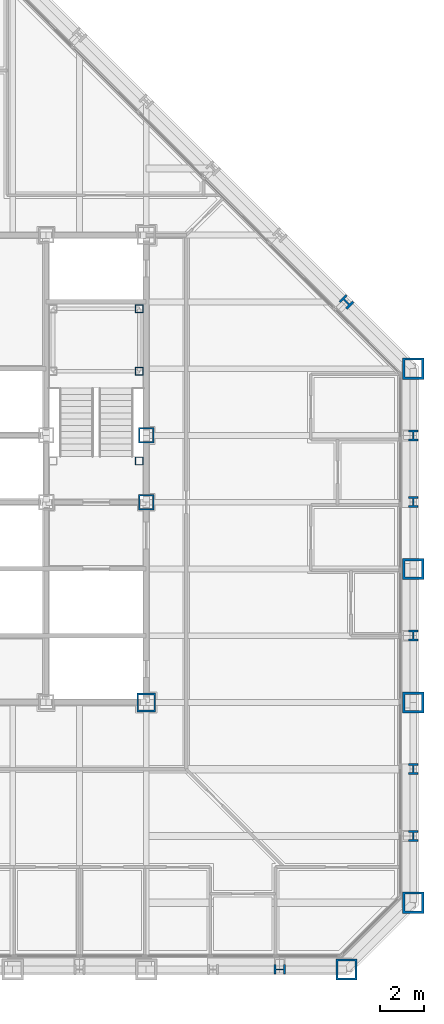
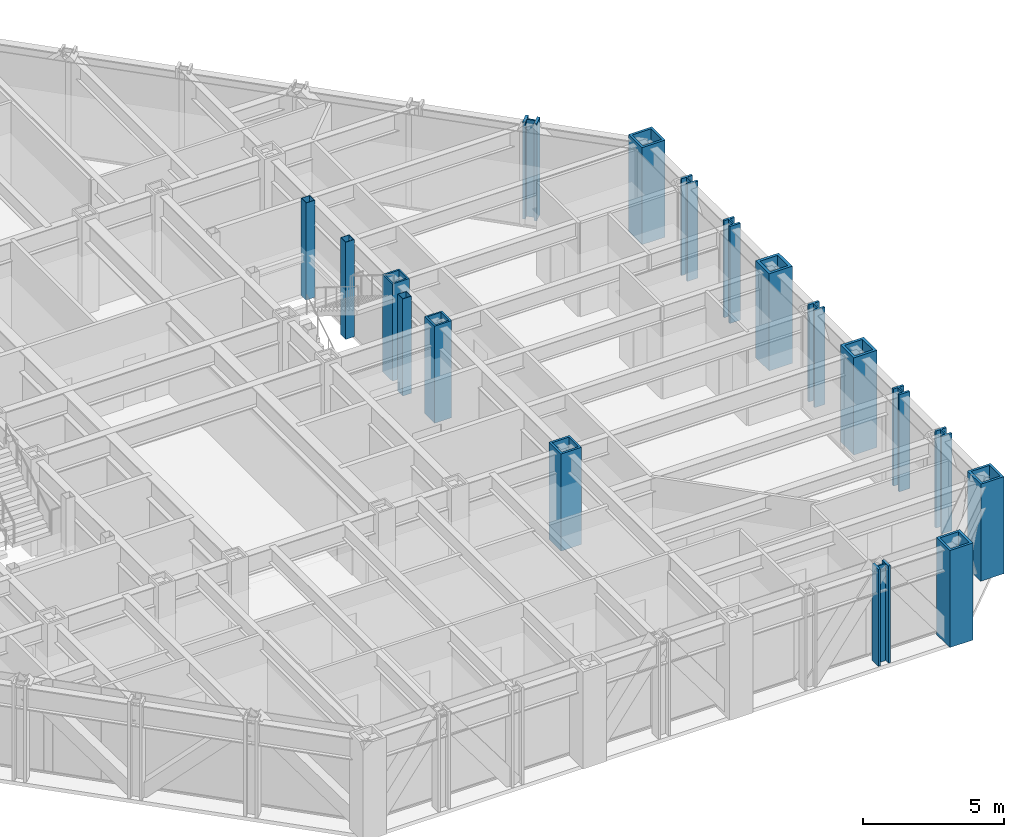
# One storey, part 2 of 17: 18 columns.
"""IFC4 building model written with IfcOpenShell, lengths in metres."""

from ifc_helpers import new_model, si_unit, direction, frame, origin, origin_2d, place, context, subcontext, project, spatial, hollow_rectangle, i_section, extrude, material, material_profile, profile_set, type_object, element, save


model = new_model("IFC4")

# Units and contexts
model_context = context("Model", 3, precision=1e-05, world=origin(), true_north=direction((0.0, 1.0)))
body_context = subcontext(model_context, "Body", "Model", "MODEL_VIEW")
ifc_project = project(units=[si_unit("LENGTHUNIT", "METRE"), si_unit("AREAUNIT", "SQUARE_METRE"), si_unit("VOLUMEUNIT", "CUBIC_METRE"), si_unit("PLANEANGLEUNIT", "RADIAN"), si_unit("MASSUNIT", "GRAM", prefix="KILO")], contexts=[model_context])

# Site, building, storey
site_placement = place(None, origin())
site = spatial("IfcSite", under=ifc_project, at=site_placement, CompositionType="ELEMENT")
building_placement = place(site_placement, origin())
building = spatial("IfcBuilding", under=site, at=building_placement, Name="Chuquiago Exchange Tower", CompositionType="ELEMENT")
storey_placement = place(building_placement, frame((0.0, 0.0, 136.199951171875)))
storey = spatial("IfcBuildingStorey", under=building, at=storey_placement, Name="L29", CompositionType="ELEMENT", Elevation=136.199951171875)

# Columns
ifc_material_1 = material(Name="Steel ASTM A992", Category="steel")
ifc_material_profile_1 = material_profile(ifc_material_1, i_section(OverallWidth=0.431884765625, OverallDepth=0.497802734375, WebThickness=0.0556640625, FlangeThickness=0.0888671875, at=origin_2d()), Name="W14X500")
ifc_profile_set_1 = profile_set([ifc_material_profile_1], Name="Steel ASTM A992")
column_type_1 = type_object("IfcColumnType", Name="C3 W14X500", PredefinedType="COLUMN", material=ifc_profile_set_1)
for number, where, z_axis, x_axis, name in (
    (1, (39.0, 0.0, 0.0), (0.0, 0.0, 1.0), (0.0, -1.0, 0.0), "COL-L29-39_0"),
    (2, (45.0, 6.0, 0.0), (0.0, 0.0, 1.0), (1.0, 0.0, 0.0), "COL-L29-45_6"),
    (3, (45.0, 9.0, 0.0), (0.0, 0.0, 1.0), (1.0, 0.0, 0.0), "COL-L29-45_9"),
    (4, (45.0, 15.0, 0.0), (0.0, 0.0, 1.0), (1.0, 0.0, 0.0), "COL-L29-45_15"),
    (5, (45.0, 21.0, 0.0), (0.0, 0.0, 1.0), (1.0, 0.0, 0.0), "COL-L29-45_21"),
    (6, (45.0, 24.0, 0.0), (0.0, 0.0, 1.0), (1.0, 0.0, 0.0), "COL-L29-45_24"),
):
    element("IfcColumn", number, at=place(storey_placement, frame(where, z_axis=z_axis, x_axis=x_axis)), inside=storey, type_object=column_type_1, Name=name, PredefinedType="COLUMN", context=body_context, shape_type="SweptSolid", body=[
        extrude(i_section(OverallWidth=0.431884765625, OverallDepth=0.497802734375, WebThickness=0.0556640625, FlangeThickness=0.0888671875, at=origin_2d()), origin(), (0.0, 0.0, 1.0), 4.199951171875),
    ])
ifc_material_2 = material(Name="Steel ASTM A572 Grade 50", Category="steel")
ifc_material_profile_2 = material_profile(ifc_material_2, hollow_rectangle(XDim=0.699951171875, YDim=0.699951171875, WallThickness=0.070068359375, at=origin_2d()), Name="BOX700X700X70")
ifc_profile_set_2 = profile_set([ifc_material_profile_2], Name="Steel ASTM A572 Grade 50")
column_type_2 = type_object("IfcColumnType", Name="CC3 BOX700X700X70", PredefinedType="COLUMN", material=ifc_profile_set_2)
for number, where, z_axis, x_axis, name in (
    (7, (33.0, 21.0, 0.0), (0.0, 0.0, 1.0), (1.0, 0.0, 0.0), "CCOL-L29-33_21"),
    (8, (33.0, 24.0, 0.0), (0.0, 0.0, 1.0), (1.0, 0.0, 0.0), "CCOL-L29-33_24"),
):
    element("IfcColumn", number, at=place(storey_placement, frame(where, z_axis=z_axis, x_axis=x_axis)), inside=storey, type_object=column_type_2, Name=name, PredefinedType="COLUMN", context=body_context, shape_type="SweptSolid", body=[
        extrude(hollow_rectangle(XDim=0.699951171875, YDim=0.699951171875, WallThickness=0.070068359375, at=origin_2d()), origin(), (0.0, 0.0, 1.0), 4.199951171875),
    ])
ifc_material_3 = material(Name="Steel ASTM A572 Grade 50", Category="steel")
ifc_material_profile_3 = material_profile(ifc_material_3, hollow_rectangle(XDim=0.85009765625, YDim=0.85009765625, WallThickness=0.0849609375, at=origin_2d()), Name="BOX850X850X85")
ifc_profile_set_3 = profile_set([ifc_material_profile_3], Name="Steel ASTM A572 Grade 50")
column_type_3 = type_object("IfcColumnType", Name="CC6 BOX850X850X85", PredefinedType="COLUMN", material=ifc_profile_set_3)
column_1_placement = place(storey_placement, frame((33.0, 12.0, 0.0), z_axis=(0.0, 0.0, 1.0), x_axis=(1.0, 0.0, 0.0)))
element("IfcColumn", 9, at=column_1_placement, inside=storey, type_object=column_type_3, Name="CCOL-L29-33_12", PredefinedType="COLUMN", context=body_context, shape_type="SweptSolid", body=[
    extrude(hollow_rectangle(XDim=0.85009765625, YDim=0.85009765625, WallThickness=0.0849609375, at=origin_2d()), origin(), (0.0, 0.0, 1.0), 4.199951171875),
])
ifc_material_4 = material(Name="Steel ASTM A992", Category="steel")
ifc_material_profile_4 = material_profile(ifc_material_4, i_section(OverallWidth=0.44189453125, OverallDepth=0.53076171875, WebThickness=0.06591796875, FlangeThickness=0.105712890625, at=origin_2d()), Name="W14X605")
ifc_profile_set_4 = profile_set([ifc_material_profile_4], Name="Steel ASTM A992")
column_type_4 = type_object("IfcColumnType", Name="CK3 W14X605", PredefinedType="COLUMN", material=ifc_profile_set_4)
column_2_placement = place(storey_placement, frame((42.0, 30.0, 0.0), z_axis=(0.0, 0.0, 1.0), x_axis=(0.707106781187, 0.707106781187, 0.0)))
element("IfcColumn", 10, at=column_2_placement, inside=storey, type_object=column_type_4, Name="COL-L29-42_30", PredefinedType="COLUMN", context=body_context, shape_type="SweptSolid", body=[
    extrude(i_section(OverallWidth=0.44189453125, OverallDepth=0.53076171875, WebThickness=0.06591796875, FlangeThickness=0.105712890625, at=origin_2d()), origin(), (0.0, 0.0, 1.0), 4.199951171875),
])
ifc_material_5 = material(Name="Steel ASTM A572 Grade 50", Category="steel")
ifc_material_profile_5 = material_profile(ifc_material_5, hollow_rectangle(XDim=0.949951171875, YDim=0.949951171875, WallThickness=0.094970703125, at=origin_2d()), Name="BOX950X950X95")
ifc_profile_set_5 = profile_set([ifc_material_profile_5], Name="Steel ASTM A572 Grade 50")
column_type_5 = type_object("IfcColumnType", Name="CN1 BOX950X950X95", PredefinedType="COLUMN", material=ifc_profile_set_5)
for number, where, z_axis, x_axis, name in (
    (11, (42.0, 0.0, 0.0), (0.0, 0.0, 1.0), (0.0, -1.0, 0.0), "COL-L29-42_0"),
    (12, (45.0, 3.0, 0.0), (0.0, 0.0, 1.0), (1.0, 0.0, 0.0), "COL-L29-45_3"),
    (13, (45.0, 27.0, 0.0), (0.0, 0.0, 1.0), (1.0, 0.0, 0.0), "COL-L29-45_27"),
):
    element("IfcColumn", number, at=place(storey_placement, frame(where, z_axis=z_axis, x_axis=x_axis)), inside=storey, type_object=column_type_5, Name=name, PredefinedType="COLUMN", context=body_context, shape_type="SweptSolid", body=[
        extrude(hollow_rectangle(XDim=0.949951171875, YDim=0.949951171875, WallThickness=0.094970703125, at=origin_2d()), origin(), (0.0, 0.0, 1.0), 4.199951171875),
    ])
ifc_material_6 = material(Name="Steel ASTM A572 Grade 42", Category="steel")
ifc_material_profile_6 = material_profile(ifc_material_6, hollow_rectangle(XDim=0.949951171875, YDim=0.949951171875, WallThickness=0.110107421875, at=origin_2d()), Name="BOX950X950X110")
ifc_profile_set_6 = profile_set([ifc_material_profile_6], Name="Steel ASTM A572 Grade 42")
column_type_6 = type_object("IfcColumnType", Name="CT1 BOX950X950X110", PredefinedType="COLUMN", material=ifc_profile_set_6)
for number, where, z_axis, x_axis, name in (
    (14, (45.0, 12.0, 0.0), (0.0, 0.0, 1.0), (1.0, 0.0, 0.0), "COL-L29-45_12"),
    (15, (45.0, 18.0, 0.0), (0.0, 0.0, 1.0), (1.0, 0.0, 0.0), "COL-L29-45_18"),
):
    element("IfcColumn", number, at=place(storey_placement, frame(where, z_axis=z_axis, x_axis=x_axis)), inside=storey, type_object=column_type_6, Name=name, PredefinedType="COLUMN", context=body_context, shape_type="SweptSolid", body=[
        extrude(hollow_rectangle(XDim=0.949951171875, YDim=0.949951171875, WallThickness=0.110107421875, at=origin_2d()), origin(), (0.0, 0.0, 1.0), 4.199951171875),
    ])
ifc_material_7 = material(Name="Steel ASTM A500 Grade C", Category="steel")
ifc_material_profile_7 = material_profile(ifc_material_7, hollow_rectangle(XDim=0.355712890625, YDim=0.355712890625, WallThickness=0.0146484375, at=origin_2d()), Name="HSS14X14X5/8")
ifc_profile_set_7 = profile_set([ifc_material_profile_7], Name="Steel ASTM A500 Grade C")
column_type_7 = type_object("IfcColumnType", Name="PT2 HSS14X14X5/8", PredefinedType="COLUMN", material=ifc_profile_set_7)
for number, where, z_axis, x_axis, name in (
    (16, (32.68994140625, 29.68994140625, 0.0), (0.0, 0.0, 1.0), (1.0, 0.0, 0.0), "Stair ST2 L29 landing post"),
    (17, (32.68994140625, 26.889892578125, 0.0), (0.0, 0.0, 1.0), (1.0, 0.0, 0.0), "Stair ST2 L29 landing post"),
    (18, (32.68994140625, 22.85009765625, 0.0), (0.0, 0.0, 1.0), (1.0, 0.0, 0.0), "Stair ST2 L29 landing post"),
):
    element("IfcColumn", number, at=place(storey_placement, frame(where, z_axis=z_axis, x_axis=x_axis)), inside=storey, type_object=column_type_7, Name=name, PredefinedType="COLUMN", context=body_context, shape_type="SweptSolid", body=[
        extrude(hollow_rectangle(XDim=0.355712890625, YDim=0.355712890625, WallThickness=0.0146484375, at=origin_2d()), origin(), (0.0, 0.0, 1.0), 4.199951171875),
    ])

save(model, "model.ifc")
